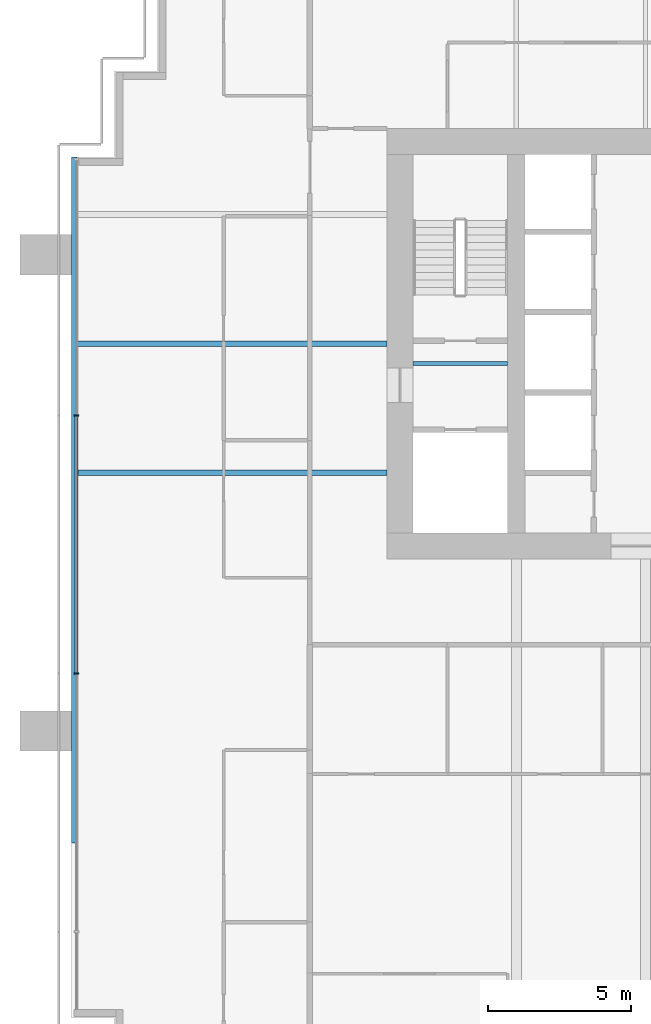
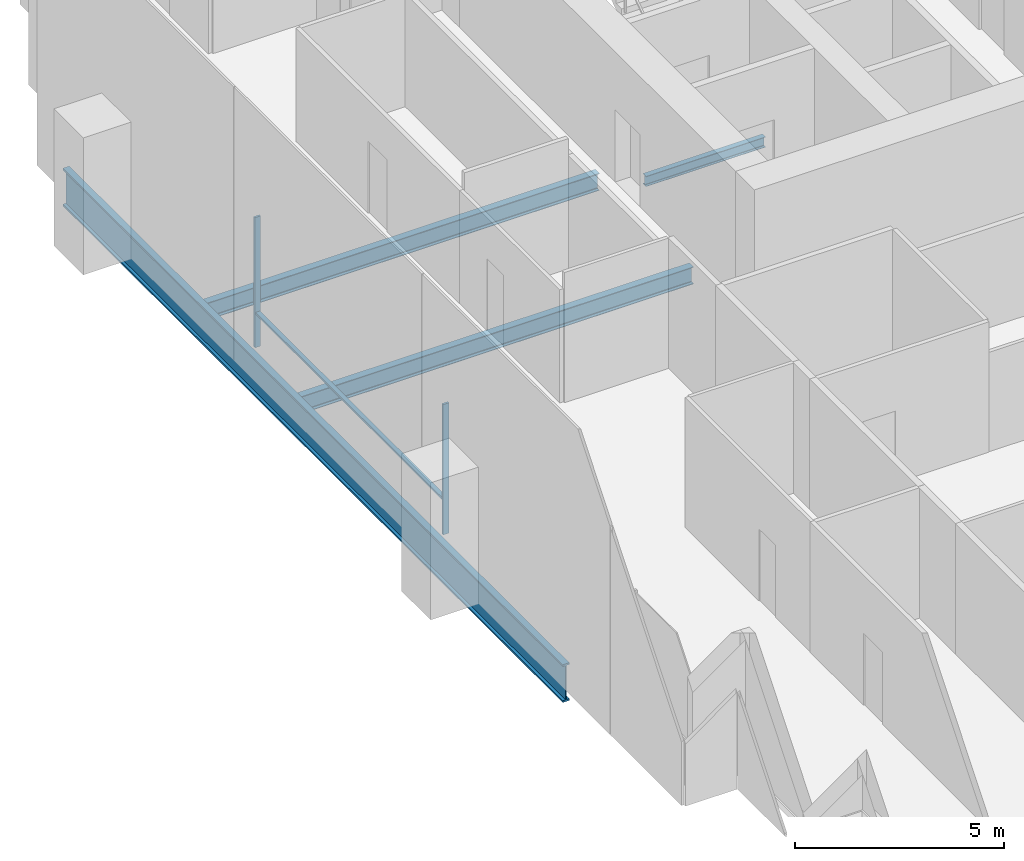
# One storey, part 4 of 17: 4 beams, 3 members, 1 element without a shape of its own.
"""IFC4 building model written with IfcOpenShell, lengths in metres."""

from ifc_helpers import new_model, si_unit, direction, frame, origin, origin_2d, place, context, subcontext, project, spatial, rectangle, i_section, extrude, material, material_profile, profile_set, type_object, element, aggregate, save


model = new_model("IFC4")

# Units and contexts
model_context = context("Model", 3, precision=1e-05, world=origin(), true_north=direction((0.0, 1.0)))
body_context = subcontext(model_context, "Body", "Model", "MODEL_VIEW")
ifc_project = project(units=[si_unit("LENGTHUNIT", "METRE"), si_unit("AREAUNIT", "SQUARE_METRE"), si_unit("VOLUMEUNIT", "CUBIC_METRE"), si_unit("PLANEANGLEUNIT", "RADIAN"), si_unit("MASSUNIT", "GRAM", prefix="KILO")], contexts=[model_context])

# Site, building, storey
site_placement = place(None, origin())
site = spatial("IfcSite", under=ifc_project, at=site_placement, CompositionType="ELEMENT")
building_placement = place(site_placement, origin())
building = spatial("IfcBuilding", under=site, at=building_placement, Name="Rattan Terrace Tower", CompositionType="ELEMENT")
storey_placement = place(building_placement, frame((0.0, 0.0, 126.10009765625)))
storey = spatial("IfcBuildingStorey", under=building, at=storey_placement, Name="L28", CompositionType="ELEMENT", Elevation=126.10009765625)

# Curtain wall, members
ifc_material_1 = material(Name="Aluminium and glass", Category="aluminium")
curtain_wall_type = type_object("IfcCurtainWallType", Name="Facade Unitised Curtain Wall", PredefinedType="NOTDEFINED", material=ifc_material_1)
curtain_wall_placement = place(storey_placement, origin())
curtain_wall = element("IfcCurtainWall", 1, at=curtain_wall_placement, inside=storey, type_object=curtain_wall_type, Name="Curtain wall L28-3", PredefinedType="NOTDEFINED")
ifc_material_2 = material(Name="Aluminium", Category="aluminium")
ifc_material_profile_1 = material_profile(ifc_material_2, rectangle(XDim=0.06005859375, YDim=0.159912109375, at=origin_2d()), Name="Aluminium 60x160")
ifc_profile_set_1 = profile_set([ifc_material_profile_1], Name="Aluminium")
member_type_1 = type_object("IfcMemberType", Name="Facade CW Mullion 60x160", PredefinedType="MULLION", material=ifc_profile_set_1)
member_1_placement = place(storey_placement, frame((-28.830078125, -2.5, 0.0), z_axis=(0.0, 0.0, 1.0), x_axis=(0.0, -1.0, 0.0)))
member_1 = element("IfcMember", 2, at=member_1_placement, type_object=member_type_1, Name="Mullion cwl-L28-003.2", PredefinedType="MULLION", context=body_context, shape_type="SweptSolid", body=[
    extrude(rectangle(XDim=0.06005859375, YDim=0.159912109375, at=origin_2d()), origin(), (0.0, 0.0, 1.0), 3.7998046875),
])
member_2_placement = place(storey_placement, frame((-28.830078125, -11.5, 0.0), z_axis=(0.0, 0.0, 1.0), x_axis=(0.0, -1.0, 0.0)))
member_2 = element("IfcMember", 3, at=member_2_placement, type_object=member_type_1, Name="Mullion cwl-L28-003.3", PredefinedType="MULLION", context=body_context, shape_type="SweptSolid", body=[
    extrude(rectangle(XDim=0.06005859375, YDim=0.159912109375, at=origin_2d()), origin(), (0.0, 0.0, 1.0), 3.7998046875),
])
ifc_material_3 = material(Name="Aluminium", Category="aluminium")
ifc_material_profile_2 = material_profile(ifc_material_3, rectangle(XDim=0.1201171875, YDim=0.06005859375, at=origin_2d()), Name="Aluminium 120x60")
ifc_profile_set_2 = profile_set([ifc_material_profile_2], Name="Aluminium")
member_type_2 = type_object("IfcMemberType", Name="Facade CW Transom 120x60", PredefinedType="USERDEFINED", material=ifc_profile_set_2)
member_3_placement = place(storey_placement, frame((-28.830078125, -2.530029296875, 1.0), z_axis=(0.0, -1.0, 0.0), x_axis=(1.0, 0.0, 0.0)))
member_3 = element("IfcMember", 4, at=member_3_placement, type_object=member_type_2, Name="Transom cwl-L28-003.2", ObjectType="TRANSOM", PredefinedType="USERDEFINED", context=body_context, shape_type="SweptSolid", body=[
    extrude(rectangle(XDim=0.1201171875, YDim=0.06005859375, at=origin_2d()), origin(), (0.0, 0.0, 1.0), 8.93994140625),
])
aggregate(curtain_wall, [member_1, member_2, member_3])

# Beams
ifc_material_4 = material(Name="Steel S460", Category="steel")
ifc_material_profile_3 = material_profile(ifc_material_4, i_section(OverallWidth=0.179931640625, OverallDepth=1.10009765625, WebThickness=0.01611328125, FlangeThickness=0.050048828125, at=origin_2d()), Name="PG 1100x180-16-50")
ifc_profile_set_3 = profile_set([ifc_material_profile_3], Name="Steel S460")
beam_type_1 = type_object("IfcBeamType", Name="Frame edge girder PG 1100x180-16-50", PredefinedType="SPANDREL", material=ifc_profile_set_3)
beam_1_placement = place(storey_placement, frame((-28.909912109375, -17.39990234375, -0.75), z_axis=(0.0, 1.0, 0.0), x_axis=(-1.0, 0.0, 0.0)))
element("IfcBeam", 5, at=beam_1_placement, inside=storey, type_object=beam_type_1, Name="gdr-L28-003", PredefinedType="SPANDREL", context=body_context, shape_type="SweptSolid", body=[
    extrude(i_section(OverallWidth=0.179931640625, OverallDepth=1.10009765625, WebThickness=0.01611328125, FlangeThickness=0.050048828125, at=origin_2d()), origin(), (0.0, 0.0, 1.0), 23.89990234375),
])
ifc_material_5 = material(Name="Steel S355", Category="steel")
ifc_material_profile_4 = material_profile(ifc_material_5, i_section(OverallWidth=0.14990234375, OverallDepth=0.300048828125, WebThickness=0.007080078125, FlangeThickness=0.0107421875, FilletRadius=0.014892578125, at=origin_2d()), Name="IPE 300")
ifc_profile_set_4 = profile_set([ifc_material_profile_4], Name="Steel S355")
beam_type_2 = type_object("IfcBeamType", Name="Frame floor beam IPE 300", PredefinedType="JOIST", material=ifc_profile_set_4)
beam_2_placement = place(storey_placement, frame((-17.10009765625, -0.695068359375, -0.35009765625), z_axis=(1.0, 0.0, 0.0), x_axis=(0.0, 1.0, 0.0)))
element("IfcBeam", 6, at=beam_2_placement, inside=storey, type_object=beam_type_2, Name="bm-L28-001", PredefinedType="JOIST", context=body_context, shape_type="SweptSolid", body=[
    extrude(i_section(OverallWidth=0.14990234375, OverallDepth=0.300048828125, WebThickness=0.007080078125, FlangeThickness=0.0107421875, FilletRadius=0.014892578125, at=origin_2d()), origin(), (0.0, 0.0, 1.0), 3.300048828125),
])
ifc_material_6 = material(Name="Steel S355", Category="steel")
ifc_material_profile_5 = material_profile(ifc_material_6, i_section(OverallWidth=0.199951171875, OverallDepth=0.5, WebThickness=0.01025390625, FlangeThickness=0.01611328125, FilletRadius=0.02099609375, at=origin_2d()), Name="IPE 500")
ifc_profile_set_5 = profile_set([ifc_material_profile_5], Name="Steel S355")
beam_type_3 = type_object("IfcBeamType", Name="Frame floor beam IPE 500", PredefinedType="JOIST", material=ifc_profile_set_5)
for number, where, z_axis, x_axis, name in (
    (7, (-28.820068359375, -4.5, -0.4501953125), (1.0, 0.0, 0.0), (0.0, 1.0, 0.0), "bm-L28-010"),
    (8, (-28.820068359375, 0.0, -0.4501953125), (1.0, 0.0, 0.0), (0.0, 1.0, 0.0), "bm-L28-012"),
):
    element("IfcBeam", number, at=place(storey_placement, frame(where, z_axis=z_axis, x_axis=x_axis)), inside=storey, type_object=beam_type_3, Name=name, PredefinedType="JOIST", context=body_context, shape_type="SweptSolid", body=[
        extrude(i_section(OverallWidth=0.199951171875, OverallDepth=0.5, WebThickness=0.01025390625, FlangeThickness=0.01611328125, FilletRadius=0.02099609375, at=origin_2d()), origin(), (0.0, 0.0, 1.0), 10.820068359375),
    ])

save(model, "model.ifc")
